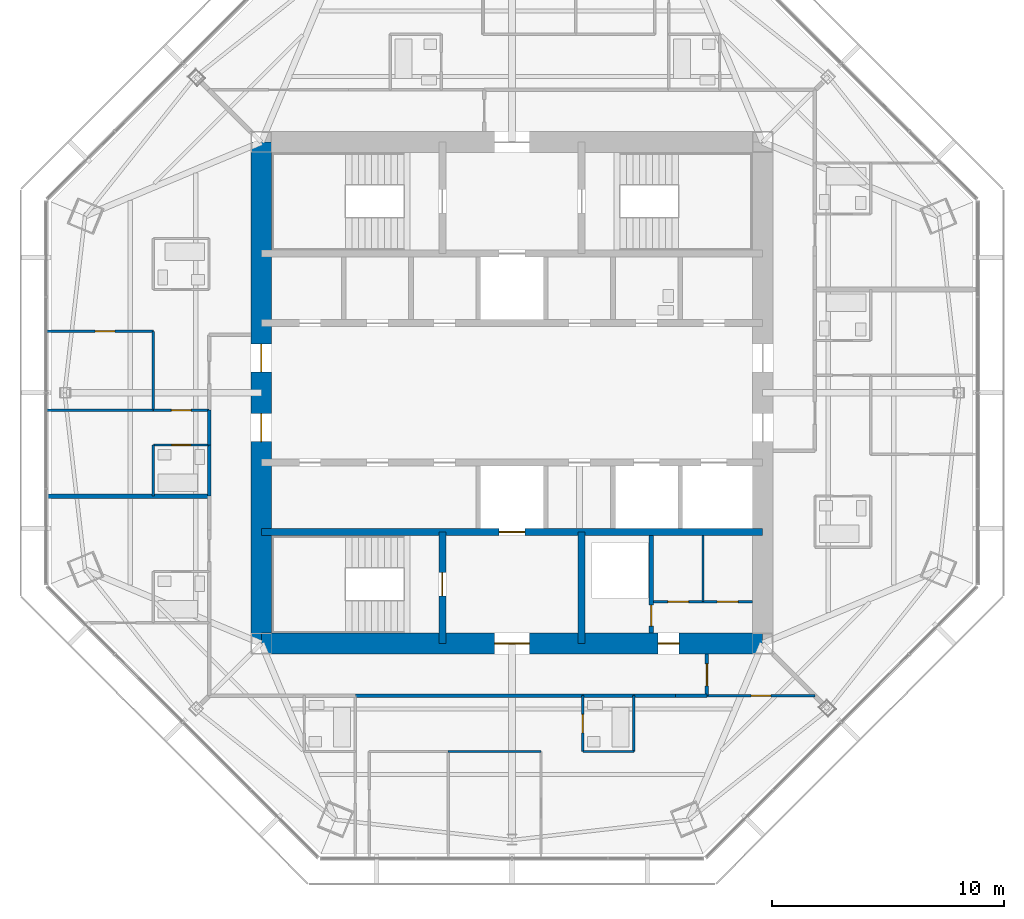
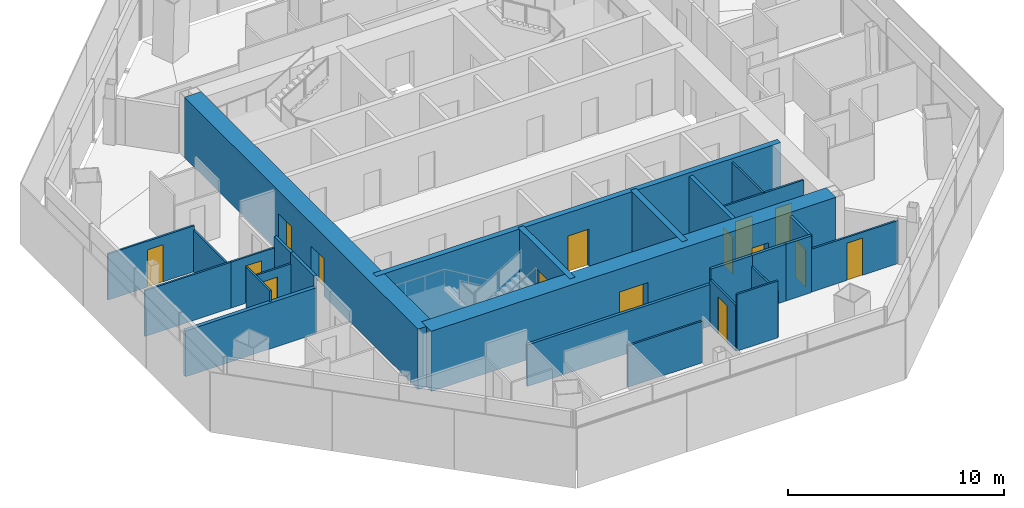
# One storey, part 10 of 15: 27 walls, 15 doors, 15 openings.
"""IFC4 building model written with IfcOpenShell, lengths in metres."""

import ifcopenshell
import ifcopenshell.guid

model = None  # the IFC model being written
_history = None  # IfcOwnerHistory: only IFC2X3 demands one
_inside = {}  # id of a spatial element -> (the spatial element, [elements in it])
_under = {}  # id of a project, library or spatial element -> (it, [spatial elements below it])
_declared = {}  # id of a project -> (the project, [libraries it declares])
_typed = {}  # id of a type object -> (the type object, [elements of that type])
_made_of = {}  # id of a material, layer set ... -> (it, [elements and type objects made of it])


def new_model(schema):
    """Start an empty IFC model of exactly this schema.

    Asked for "IFC4X3", IfcOpenShell would pick the latest addendum, in which some entities
    have other attributes; the version numbers below select the first issue.
    IFC2X3 requires an IfcOwnerHistory on every rooted entity: one is made here for all.
    """
    global model, _history
    if schema == "IFC4X3":
        model = ifcopenshell.file(schema_version=(4, 3, 0, 0))
    else:
        model = ifcopenshell.file(schema=schema)
    _inside.clear()
    _under.clear()
    _declared.clear()
    _typed.clear()
    _made_of.clear()
    _history = None
    if model.schema == "IFC2X3":
        org = make("IfcOrganization", Name="unknown")
        user = make(
            "IfcPersonAndOrganization",
            ThePerson=make("IfcPerson", FamilyName="unknown"),
            TheOrganization=org,
        )
        app = make(
            "IfcApplication",
            ApplicationDeveloper=org,
            Version="unknown",
            ApplicationFullName="unknown",
            ApplicationIdentifier="unknown",
        )
        _history = make(
            "IfcOwnerHistory",
            OwningUser=user,
            OwningApplication=app,
            ChangeAction="ADDED",
            CreationDate=0,
        )
    return model


def make(cls, **values):
    """One entity of the class cls with the attributes given. An attribute that is None is left unset."""
    return model.create_entity(
        cls, **{name: value for name, value in values.items() if value is not None}
    )


def rooted(cls, **values):
    """An entity with a GlobalId (a new one), such as an element, a storey or a relation."""
    return make(cls, GlobalId=ifcopenshell.guid.new(), OwnerHistory=_history, **values)


def si_unit(unit_type, name, prefix=None):
    """IfcSIUnit, for example si_unit("LENGTHUNIT", "METRE", prefix="MILLI")."""
    return make("IfcSIUnit", UnitType=unit_type, Prefix=prefix, Name=name)


def assignment(units):
    """IfcUnitAssignment: the units of a project."""
    return None if units is None else make("IfcUnitAssignment", Units=units)


def point(xyz):
    """IfcCartesianPoint."""
    return None if xyz is None else make("IfcCartesianPoint", Coordinates=xyz)


def direction(xyz):
    """IfcDirection."""
    return None if xyz is None else make("IfcDirection", DirectionRatios=xyz)


def frame(location, z_axis=None, x_axis=None):
    """IfcAxis2Placement3D, a coordinate frame: its origin and axes. An axis left out is left unset."""
    return make(
        "IfcAxis2Placement3D",
        Location=point(location),
        Axis=direction(z_axis),
        RefDirection=direction(x_axis),
    )


def frame_2d(location, x_axis=None):
    """IfcAxis2Placement2D, a coordinate frame in the plane: its origin and x axis."""
    return make(
        "IfcAxis2Placement2D", Location=point(location), RefDirection=direction(x_axis)
    )


def origin():
    """The frame at (0, 0, 0) with its axes left unset."""
    return frame((0.0, 0.0, 0.0))


def place(relative_to, where):
    """IfcLocalPlacement: puts the frame where relative to a parent placement (None: the world)."""
    return make(
        "IfcLocalPlacement", PlacementRelTo=relative_to, RelativePlacement=where
    )


def context(
    kind, dimensions, precision=None, world=None, true_north=None, identifier=None
):
    """IfcGeometricRepresentationContext, for example the 3D "Model" context."""
    return make(
        "IfcGeometricRepresentationContext",
        ContextIdentifier=identifier,
        ContextType=kind,
        CoordinateSpaceDimension=dimensions,
        Precision=precision,
        WorldCoordinateSystem=world,
        TrueNorth=true_north,
    )


def subcontext(parent, identifier, kind, view, scale=None):
    """IfcGeometricRepresentationSubContext, for example "Body" below "Model"."""
    return make(
        "IfcGeometricRepresentationSubContext",
        ContextIdentifier=identifier,
        ContextType=kind,
        ParentContext=parent,
        TargetScale=scale,
        TargetView=view,
    )


def project(units=None, contexts=None):
    """IfcProject with its units and contexts."""
    return rooted(
        "IfcProject",
        Name="project",
        RepresentationContexts=contexts,
        UnitsInContext=assignment(units),
    )


def spatial(cls, under=None, at=None, **own):
    """A site, building, storey or space (cls), placed at a placement, below another one or the project."""
    s = rooted(cls, ObjectPlacement=at, **own)
    if under is not None:
        _under.setdefault(under.id(), (under, []))[1].append(s)
    return s


def profile(cls, at=None, kind="AREA", **sizes):
    """A parametric profile (cls). Its sizes go by their IFC names, for example OverallWidth=200.0."""
    return make(cls, ProfileType=kind, Position=at, **sizes)


def rectangle(**sizes):
    """IfcRectangleProfileDef."""
    return profile("IfcRectangleProfileDef", **sizes)


def extrude(swept, where, along, depth):
    """IfcExtrudedAreaSolid: the profile swept, set in the frame where, extruded along a direction by depth."""
    return make(
        "IfcExtrudedAreaSolid",
        SweptArea=swept,
        Position=where,
        ExtrudedDirection=direction(along),
        Depth=depth,
    )


def shape(context_of_items, identifier, shape_type, items):
    """IfcShapeRepresentation: the items that make up one representation, for example the "Body"."""
    return make(
        "IfcShapeRepresentation",
        ContextOfItems=context_of_items,
        RepresentationIdentifier=identifier,
        RepresentationType=shape_type,
        Items=items,
    )


def material(Name=None, Category=None):
    """IfcMaterial."""
    return make("IfcMaterial", Name=Name, Category=Category)


def layer(
    of_material, thickness, ventilated=None, Name=None, Category=None, Priority=None
):
    """IfcMaterialLayer: one layer of a wall or slab, of a material (None: an air gap)."""
    return make(
        "IfcMaterialLayer",
        Material=of_material,
        LayerThickness=thickness,
        IsVentilated=ventilated,
        Name=Name,
        Category=Category,
        Priority=Priority,
    )


def layer_set(layers, Name=None):
    """IfcMaterialLayerSet."""
    return make("IfcMaterialLayerSet", MaterialLayers=layers, LayerSetName=Name)


def made_of(thing, what):
    """Note that an element or type object is made of a material, layer set ...; save() writes the relation."""
    if what is not None:
        _made_of.setdefault(what.id(), (what, []))[1].append(thing)
    return thing


def type_object(cls, material=None, **own):
    """A type object (cls), such as IfcWallType, which elements share."""
    return made_of(rooted(cls, **own), material)


def element(
    cls,
    number,
    at=None,
    inside=None,
    cuts=None,
    type_object=None,
    material=None,
    context=None,
    identifier="Body",
    shape_type=None,
    held_by="IfcProductDefinitionShape",
    body=None,
    shapes=None,
    **own,
):
    """One element of the class cls, such as IfcWall. Its Tag is "e" and its number.

    at: its placement. inside: the storey or other place that contains it. cuts: it is an
    opening in that element (IfcRelVoidsElement). A single representation is given by context,
    identifier, shape_type and body (its items); several are given by shapes. held_by: the class
    of the entity that holds the representations. save() writes the other relations.
    """
    e = rooted(cls, Tag="e%d" % number, ObjectPlacement=at, **own)
    if body is not None:
        shapes = [shape(context, identifier, shape_type, body)]
    if shapes is not None:
        e.Representation = make(held_by, Representations=shapes)
    if inside is not None:
        _inside.setdefault(inside.id(), (inside, []))[1].append(e)
    if cuts is not None:
        rooted(
            "IfcRelVoidsElement", RelatingBuildingElement=cuts, RelatedOpeningElement=e
        )
    if type_object is not None:
        _typed.setdefault(type_object.id(), (type_object, []))[1].append(e)
    return made_of(e, material)


def fill(opening, filler):
    """IfcRelFillsElement: the door or window that sits in an opening."""
    return rooted(
        "IfcRelFillsElement",
        RelatingOpeningElement=opening,
        RelatedBuildingElement=filler,
    )


def aggregate(whole, parts):
    """IfcRelAggregates: a whole, such as a stair, and the parts it consists of."""
    return rooted("IfcRelAggregates", RelatingObject=whole, RelatedObjects=parts)


def save(model, path):
    """Write the relations noted so far, then the file.

    IfcRelAggregates (storeys below a building ...), IfcRelContainedInSpatialStructure (elements
    in a storey), IfcRelDefinesByType, IfcRelAssociatesMaterial and IfcRelDeclares: one each for
    every whole, place, type object, material and project.
    """
    for whole, parts in _under.values():
        aggregate(whole, parts)
    for where, things in _inside.values():
        rooted(
            "IfcRelContainedInSpatialStructure",
            RelatedElements=things,
            RelatingStructure=where,
        )
    for kind, things in _typed.values():
        rooted("IfcRelDefinesByType", RelatedObjects=things, RelatingType=kind)
    for what, things in _made_of.values():
        rooted("IfcRelAssociatesMaterial", RelatedObjects=things, RelatingMaterial=what)
    for by, libraries in _declared.values():
        rooted("IfcRelDeclares", RelatingContext=by, RelatedDefinitions=libraries)
    model.write(path)


model = new_model("IFC4")

# Units and contexts
model_context = context("Model", 3, precision=1e-05, world=origin(), true_north=direction((0.0, 1.0)))
body_context = subcontext(model_context, "Body", "Model", "MODEL_VIEW")
ifc_project = project(units=[si_unit("LENGTHUNIT", "METRE"), si_unit("AREAUNIT", "SQUARE_METRE"), si_unit("VOLUMEUNIT", "CUBIC_METRE"), si_unit("PLANEANGLEUNIT", "RADIAN"), si_unit("MASSUNIT", "GRAM", prefix="KILO")], contexts=[model_context])

# Site, building, storey
site_placement = place(None, origin())
site = spatial("IfcSite", under=ifc_project, at=site_placement, CompositionType="ELEMENT")
building_placement = place(site_placement, origin())
building = spatial("IfcBuilding", under=site, at=building_placement, Name="Mashrafa Tower", CompositionType="ELEMENT")
storey_placement = place(building_placement, frame((0.0, 0.0, 281.0)))
storey = spatial("IfcBuildingStorey", under=building, at=storey_placement, Name="L68", CompositionType="ELEMENT", Elevation=281.0)

# Wall
ifc_material_1 = material(Name="Gypsum board on steel studs", Category="steel")
ifc_layer_1 = layer(ifc_material_1, 0.199951171875)
ifc_layer_set_1 = layer_set([ifc_layer_1], Name="Acoustic partition 200 1 hr")
wall_type_1 = type_object("IfcWallType", Name="Acoustic partition 200 1 hr", PredefinedType="PARTITIONING", material=ifc_layer_set_1)
wall_1_placement = place(storey_placement, frame((-13.050048828125, -4.449951171875, 0.0), z_axis=(0.0, 0.0, 1.0), x_axis=(-1.0, 0.0, 0.0)))
element("IfcWall", 1, at=wall_1_placement, inside=storey, type_object=wall_type_1, Name="Acoustic wall L68-076", PredefinedType="PARTITIONING", context=body_context, shape_type="SweptSolid", body=[
    extrude(rectangle(XDim=6.99755859375, YDim=0.199951171875, at=frame_2d((3.498779296875, 0.0))), origin(), (0.0, 0.0, 1.0), 2.590576171875),
])

# Wall, opening, door
ifc_material_2 = material(Name="Concrete masonry unit", Category="masonry")
ifc_layer_2 = layer(ifc_material_2, 0.199951171875)
ifc_layer_set_2 = layer_set([ifc_layer_2], Name="Blockwork wall 200 2 hr")
wall_type_2 = type_object("IfcWallType", Name="Blockwork wall 200 2 hr", PredefinedType="PARTITIONING", material=ifc_layer_set_2)
wall_2_placement = place(storey_placement, frame((6.0, -10.35009765625, 0.0), z_axis=(0.0, 0.0, 1.0), x_axis=(0.0, 1.0, 0.0)))
wall_2 = element("IfcWall", 2, at=wall_2_placement, inside=storey, type_object=wall_type_2, Name="Riser enclosure wall L68", PredefinedType="PARTITIONING", context=body_context, shape_type="SweptSolid", body=[
    extrude(rectangle(XDim=4.2001953125, YDim=0.199951171875, at=frame_2d((2.10009765625, 0.0))), origin(), (0.0, 0.0, 1.0), 3.199951171875),
])
opening_1_placement = place(wall_2_placement, frame((0.300048828125, 0.0, 0.0)))
opening_1 = element("IfcOpeningElement", 3, at=opening_1_placement, cuts=wall_2, Name="Opening 68.041", PredefinedType="OPENING", context=body_context, shape_type="SweptSolid", body=[
    extrude(rectangle(XDim=0.89990234375, YDim=2.10009765625, at=frame_2d((0.449951171875, 1.050048828125))), frame((0.0, 0.10986328125, 0.0), z_axis=(0.0, -1.0, 0.0), x_axis=(1.0, 0.0, 0.0)), (0.0, 0.0, 1.0), 0.219970703125),
])
ifc_material_3 = material(Name="Steel door", Category="steel")
door_type_1 = type_object("IfcDoorType", Name="Service door 900 x 2100 90 min", OperationType="USERDEFINED", PredefinedType="DOOR", material=ifc_material_3)
door_1_placement = place(opening_1_placement, origin())
door_1 = element("IfcDoor", 4, at=door_1_placement, inside=storey, type_object=door_type_1, Name="Riser door L68", OperationType="SINGLE_SWING_LEFT", OverallHeight=2.10009765625, OverallWidth=0.89990234375, PredefinedType="DOOR", context=body_context, shape_type="SweptSolid", body=[
    extrude(rectangle(XDim=0.89990234375, YDim=2.10009765625, at=frame_2d((0.449951171875, 1.050048828125))), frame((0.0, 0.02490234375, 0.0), z_axis=(0.0, -1.0, 0.0), x_axis=(1.0, 0.0, 0.0)), (0.0, 0.0, 1.0), 0.050048828125),
])
fill(opening_1, door_1)

ifc_material_4 = material(Name="Concrete C50/60", Category="concrete")
ifc_layer_3 = layer(ifc_material_4, 0.300048828125)
ifc_layer_set_3 = layer_set([ifc_layer_3], Name="Core wall 300 C50/60")
wall_type_3 = type_object("IfcWallType", Name="Core wall 300 C50/60", PredefinedType="SOLIDWALL", material=ifc_layer_set_3)
wall_3_placement = place(storey_placement, frame((-10.800048828125, -6.0, 0.0), z_axis=(0.0, 0.0, 1.0), x_axis=(1.0, 0.0, 0.0)))
wall_3 = element("IfcWall", 5, at=wall_3_placement, inside=storey, type_object=wall_type_3, Name="Core wall CB-S L68", PredefinedType="SOLIDWALL", context=body_context, shape_type="SweptSolid", body=[
    extrude(rectangle(XDim=21.60009765625, YDim=0.300048828125, at=frame_2d((10.800048828125, 0.0))), origin(), (0.0, 0.0, 1.0), 3.39990234375),
])
opening_2_placement = place(wall_3_placement, frame((10.25, 0.0, 0.0)))
opening_2 = element("IfcOpeningElement", 6, at=opening_2_placement, cuts=wall_3, Name="Opening 68.F2", PredefinedType="OPENING", context=body_context, shape_type="SweptSolid", body=[
    extrude(rectangle(XDim=1.10009765625, YDim=2.10009765625, at=frame_2d((0.550048828125, 1.050048828125))), frame((0.0, 0.159912109375, 0.0), z_axis=(0.0, -1.0, 0.0), x_axis=(1.0, 0.0, 0.0)), (0.0, 0.0, 1.0), 0.320068359375),
])
ifc_material_5 = material(Name="Steel door", Category="steel")
door_type_2 = type_object("IfcDoorType", Name="Lift landing door 1100 x 2100 90 min", OperationType="DOUBLE_DOOR_SLIDING", PredefinedType="DOOR", material=ifc_material_5)
door_2_placement = place(opening_2_placement, origin())
door_2 = element("IfcDoor", 7, at=door_2_placement, inside=storey, type_object=door_type_2, Name="Lift landing door F2 L68", OperationType="DOUBLE_DOOR_SLIDING", OverallHeight=2.10009765625, OverallWidth=1.10009765625, PredefinedType="DOOR", context=body_context, shape_type="SweptSolid", body=[
    extrude(rectangle(XDim=1.10009765625, YDim=2.10009765625, at=frame_2d((0.550048828125, 1.050048828125))), frame((0.0, 0.02490234375, 0.0), z_axis=(0.0, -1.0, 0.0), x_axis=(1.0, 0.0, 0.0)), (0.0, 0.0, 1.0), 0.050048828125),
])
fill(opening_2, door_2)

wall_4_placement = place(storey_placement, frame((-3.0, -6.0, 0.0), z_axis=(0.0, 0.0, 1.0), x_axis=(0.0, -1.0, 0.0)))
wall_4 = element("IfcWall", 8, at=wall_4_placement, inside=storey, type_object=wall_type_3, Name="Core wall CX-SW L68", PredefinedType="SOLIDWALL", context=body_context, shape_type="SweptSolid", body=[
    extrude(rectangle(XDim=4.800048828125, YDim=0.300048828125, at=frame_2d((2.39990234375, 0.0))), origin(), (0.0, 0.0, 1.0), 3.39990234375),
])
opening_3_placement = place(wall_4_placement, frame((1.75, 0.0, 0.0)))
opening_3 = element("IfcOpeningElement", 9, at=opening_3_placement, cuts=wall_4, Name="Opening 68.039", PredefinedType="OPENING", context=body_context, shape_type="SweptSolid", body=[
    extrude(rectangle(XDim=1.0, YDim=2.10009765625, at=frame_2d((0.5, 1.050048828125))), frame((0.0, 0.159912109375, 0.0), z_axis=(0.0, -1.0, 0.0), x_axis=(1.0, 0.0, 0.0)), (0.0, 0.0, 1.0), 0.320068359375),
])
ifc_material_6 = material(Name="Steel door", Category="steel")
door_type_3 = type_object("IfcDoorType", Name="Stair door 1000 x 2100 90 min", OperationType="USERDEFINED", PredefinedType="DOOR", material=ifc_material_6)
door_3_placement = place(opening_3_placement, frame((1.0, 0.0, 0.0), z_axis=(0.0, 0.0, 1.0), x_axis=(-1.0, 0.0, 0.0)))
door_3 = element("IfcDoor", 10, at=door_3_placement, inside=storey, type_object=door_type_3, Name="Stair S3 door L68", OperationType="SINGLE_SWING_RIGHT", OverallHeight=2.10009765625, OverallWidth=1.0, PredefinedType="DOOR", context=body_context, shape_type="SweptSolid", body=[
    extrude(rectangle(XDim=1.0, YDim=2.10009765625, at=frame_2d((0.5, 1.050048828125))), frame((0.0, 0.02490234375, 0.0), z_axis=(0.0, -1.0, 0.0), x_axis=(1.0, 0.0, 0.0)), (0.0, 0.0, 1.0), 0.050048828125),
])
fill(opening_3, door_3)

# Wall
wall_5_placement = place(storey_placement, frame((3.0, -6.0, 0.0), z_axis=(0.0, 0.0, 1.0), x_axis=(0.0, -1.0, 0.0)))
element("IfcWall", 11, at=wall_5_placement, inside=storey, type_object=wall_type_3, Name="Core wall CX-SE L68", PredefinedType="SOLIDWALL", context=body_context, shape_type="SweptSolid", body=[
    extrude(rectangle(XDim=4.800048828125, YDim=0.300048828125, at=frame_2d((2.39990234375, 0.0))), origin(), (0.0, 0.0, 1.0), 3.39990234375),
])

# Wall, openings, doors
ifc_material_7 = material(Name="Concrete C50/60", Category="concrete")
ifc_layer_4 = layer(ifc_material_7, 0.89990234375)
ifc_layer_set_4 = layer_set([ifc_layer_4], Name="Core wall 900 C50/60")
wall_type_4 = type_object("IfcWallType", Name="Core wall 900 C50/60", PredefinedType="SOLIDWALL", material=ifc_layer_set_4)
wall_6_placement = place(storey_placement, frame((-10.800048828125, -10.800048828125, 0.0), z_axis=(0.0, 0.0, 1.0), x_axis=(1.0, 0.0, 0.0)))
wall_6 = element("IfcWall", 12, at=wall_6_placement, inside=storey, type_object=wall_type_4, Name="Core wall CW-S L68", PredefinedType="SOLIDWALL", context=body_context, shape_type="SweptSolid", body=[
    extrude(rectangle(XDim=21.60009765625, YDim=0.89990234375, at=frame_2d((10.800048828125, 0.0))), origin(), (0.0, 0.0, 1.0), 3.39990234375),
])
opening_4_placement = place(wall_6_placement, frame((10.050048828125, 0.0, 0.0)))
opening_4 = element("IfcOpeningElement", 13, at=opening_4_placement, cuts=wall_6, Name="Opening 68.036", PredefinedType="OPENING", context=body_context, shape_type="SweptSolid", body=[
    extrude(rectangle(XDim=1.5, YDim=2.10009765625, at=frame_2d((0.75, 1.050048828125))), frame((0.0, 0.4599609375, 0.0), z_axis=(0.0, -1.0, 0.0), x_axis=(1.0, 0.0, 0.0)), (0.0, 0.0, 1.0), 0.919921875),
])
opening_5_placement = place(wall_6_placement, frame((17.10009765625, 0.0, 0.0)))
opening_5 = element("IfcOpeningElement", 14, at=opening_5_placement, cuts=wall_6, Name="Opening 68.040", PredefinedType="OPENING", context=body_context, shape_type="SweptSolid", body=[
    extrude(rectangle(XDim=0.89990234375, YDim=2.10009765625, at=frame_2d((0.449951171875, 1.050048828125))), frame((0.0, 0.4599609375, 0.0), z_axis=(0.0, -1.0, 0.0), x_axis=(1.0, 0.0, 0.0)), (0.0, 0.0, 1.0), 0.919921875),
])
ifc_material_8 = material(Name="Steel door", Category="steel")
door_type_4 = type_object("IfcDoorType", Name="Lobby door pair 1500 x 2100 90 min", OperationType="DOUBLE_DOOR_SINGLE_SWING", PredefinedType="DOOR", material=ifc_material_8)
door_4_placement = place(opening_4_placement, origin())
door_4 = element("IfcDoor", 15, at=door_4_placement, inside=storey, type_object=door_type_4, Name="Fire-fighting lobby F2 door L68", OperationType="DOUBLE_DOOR_SINGLE_SWING", OverallHeight=2.10009765625, OverallWidth=1.5, PredefinedType="DOOR", context=body_context, shape_type="SweptSolid", body=[
    extrude(rectangle(XDim=1.5, YDim=2.10009765625, at=frame_2d((0.75, 1.050048828125))), frame((0.0, 0.02490234375, 0.0), z_axis=(0.0, -1.0, 0.0), x_axis=(1.0, 0.0, 0.0)), (0.0, 0.0, 1.0), 0.050048828125),
])
fill(opening_4, door_4)
door_5_placement = place(opening_5_placement, frame((0.89990234375, 0.0, 0.0), z_axis=(0.0, 0.0, 1.0), x_axis=(-1.0, 0.0, 0.0)))
door_5 = element("IfcDoor", 16, at=door_5_placement, inside=storey, type_object=door_type_1, Name="Services Lobby L68 door", OperationType="SINGLE_SWING_LEFT", OverallHeight=2.10009765625, OverallWidth=0.89990234375, PredefinedType="DOOR", context=body_context, shape_type="SweptSolid", body=[
    extrude(rectangle(XDim=0.89990234375, YDim=2.10009765625, at=frame_2d((0.449951171875, 1.050048828125))), frame((0.0, 0.02490234375, 0.0), z_axis=(0.0, -1.0, 0.0), x_axis=(1.0, 0.0, 0.0)), (0.0, 0.0, 1.0), 0.050048828125),
])
fill(opening_5, door_5)

wall_7_placement = place(storey_placement, frame((-10.800048828125, 10.800048828125, 0.0), z_axis=(0.0, 0.0, 1.0), x_axis=(0.0, -1.0, 0.0)))
wall_7 = element("IfcWall", 17, at=wall_7_placement, inside=storey, type_object=wall_type_4, Name="Core wall CW-W L68", PredefinedType="SOLIDWALL", context=body_context, shape_type="SweptSolid", body=[
    extrude(rectangle(XDim=21.60009765625, YDim=0.89990234375, at=frame_2d((10.800048828125, 0.0))), origin(), (0.0, 0.0, 1.0), 3.39990234375),
])
opening_6_placement = place(wall_7_placement, frame((8.699951171875, 0.0, 0.0)))
opening_6 = element("IfcOpeningElement", 18, at=opening_6_placement, cuts=wall_7, Name="Opening 68.032", PredefinedType="OPENING", context=body_context, shape_type="SweptSolid", body=[
    extrude(rectangle(XDim=1.199951171875, YDim=2.10009765625, at=frame_2d((0.60009765625, 1.050048828125))), frame((0.0, 0.4599609375, 0.0), z_axis=(0.0, -1.0, 0.0), x_axis=(1.0, 0.0, 0.0)), (0.0, 0.0, 1.0), 0.919921875),
])
opening_7_placement = place(wall_7_placement, frame((11.699951171875, 0.0, 0.0)))
opening_7 = element("IfcOpeningElement", 19, at=opening_7_placement, cuts=wall_7, Name="Opening 68.034", PredefinedType="OPENING", context=body_context, shape_type="SweptSolid", body=[
    extrude(rectangle(XDim=1.199951171875, YDim=2.10009765625, at=frame_2d((0.60009765625, 1.050048828125))), frame((0.0, 0.4599609375, 0.0), z_axis=(0.0, -1.0, 0.0), x_axis=(1.0, 0.0, 0.0)), (0.0, 0.0, 1.0), 0.919921875),
])
ifc_material_9 = material(Name="Steel door", Category="steel")
door_type_5 = type_object("IfcDoorType", Name="Lift hall door 1200 x 2100 90 min", OperationType="USERDEFINED", PredefinedType="DOOR", material=ifc_material_9)
door_6_placement = place(opening_6_placement, frame((1.199951171875, 0.0, 0.0), z_axis=(0.0, 0.0, 1.0), x_axis=(-1.0, 0.0, 0.0)))
door_6 = element("IfcDoor", 20, at=door_6_placement, inside=storey, type_object=door_type_5, Name="Lift hall door west L68", OperationType="SINGLE_SWING_RIGHT", OverallHeight=2.10009765625, OverallWidth=1.199951171875, PredefinedType="DOOR", context=body_context, shape_type="SweptSolid", body=[
    extrude(rectangle(XDim=1.199951171875, YDim=2.10009765625, at=frame_2d((0.60009765625, 1.050048828125))), frame((0.0, 0.02490234375, 0.0), z_axis=(0.0, -1.0, 0.0), x_axis=(1.0, 0.0, 0.0)), (0.0, 0.0, 1.0), 0.050048828125),
])
fill(opening_6, door_6)
door_7_placement = place(opening_7_placement, frame((1.199951171875, 0.0, 0.0), z_axis=(0.0, 0.0, 1.0), x_axis=(-1.0, 0.0, 0.0)))
door_7 = element("IfcDoor", 21, at=door_7_placement, inside=storey, type_object=door_type_5, Name="Lift hall door west L68", OperationType="SINGLE_SWING_RIGHT", OverallHeight=2.10009765625, OverallWidth=1.199951171875, PredefinedType="DOOR", context=body_context, shape_type="SweptSolid", body=[
    extrude(rectangle(XDim=1.199951171875, YDim=2.10009765625, at=frame_2d((0.60009765625, 1.050048828125))), frame((0.0, 0.02490234375, 0.0), z_axis=(0.0, -1.0, 0.0), x_axis=(1.0, 0.0, 0.0)), (0.0, 0.0, 1.0), 0.050048828125),
])
fill(opening_7, door_7)

# Walls
ifc_material_10 = material(Name="Gypsum board on steel studs", Category="steel")
ifc_layer_5 = layer(ifc_material_10, 0.14990234375)
ifc_layer_set_5 = layer_set([ifc_layer_5], Name="Corridor partition 150 1 hr")
wall_type_5 = type_object("IfcWallType", Name="Corridor partition 150 1 hr", PredefinedType="PARTITIONING", material=ifc_layer_set_5)
wall_8_placement = place(storey_placement, frame((-13.050048828125, -2.2490234375, 0.0), z_axis=(0.0, 0.0, 1.0), x_axis=(0.0, -1.0, 0.0)))
element("IfcWall", 22, at=wall_8_placement, inside=storey, type_object=wall_type_5, Name="Corridor wall L68-013", PredefinedType="PARTITIONING", context=body_context, shape_type="SweptSolid", body=[
    extrude(rectangle(XDim=2.201904296875, YDim=0.14990234375, at=frame_2d((1.10107421875, 0.0))), origin(), (0.0, 0.0, 1.0), 3.199951171875),
])
wall_9_placement = place(storey_placement, frame((-13.050048828125, -0.7490234375, 0.0), z_axis=(0.0, 0.0, 1.0), x_axis=(0.0, -1.0, 0.0)))
element("IfcWall", 23, at=wall_9_placement, inside=storey, type_object=wall_type_5, Name="Corridor wall L68-014", PredefinedType="PARTITIONING", context=body_context, shape_type="SweptSolid", body=[
    extrude(rectangle(XDim=1.501953125, YDim=0.14990234375, at=frame_2d((0.7509765625, 0.0))), origin(), (0.0, 0.0, 1.0), 3.199951171875),
])
wall_10_placement = place(storey_placement, frame((5.2490234375, -13.050048828125, 0.0), z_axis=(0.0, 0.0, 1.0), x_axis=(1.0, 0.0, 0.0)))
element("IfcWall", 24, at=wall_10_placement, inside=storey, type_object=wall_type_5, Name="Corridor wall L68-021", PredefinedType="PARTITIONING", context=body_context, shape_type="SweptSolid", body=[
    extrude(rectangle(XDim=1.802001953125, YDim=0.14990234375, at=frame_2d((0.90087890625, 0.0))), origin(), (0.0, 0.0, 1.0), 3.199951171875),
])
wall_11_placement = place(storey_placement, frame((3.049072265625, -13.050048828125, 0.0), z_axis=(0.0, 0.0, 1.0), x_axis=(1.0, 0.0, 0.0)))
element("IfcWall", 25, at=wall_11_placement, inside=storey, type_object=wall_type_5, Name="Corridor wall L68-022", PredefinedType="PARTITIONING", context=body_context, shape_type="SweptSolid", body=[
    extrude(rectangle(XDim=2.201904296875, YDim=0.14990234375, at=frame_2d((1.10107421875, 0.0))), origin(), (0.0, 0.0, 1.0), 3.199951171875),
])
wall_12_placement = place(storey_placement, frame((-6.7509765625, -13.050048828125, 0.0), z_axis=(0.0, 0.0, 1.0), x_axis=(1.0, 0.0, 0.0)))
element("IfcWall", 26, at=wall_12_placement, inside=storey, type_object=wall_type_5, Name="Corridor wall L68-025", PredefinedType="PARTITIONING", context=body_context, shape_type="SweptSolid", body=[
    extrude(rectangle(XDim=9.802001953125, YDim=0.14990234375, at=frame_2d((4.90087890625, 0.0))), origin(), (0.0, 0.0, 1.0), 2.34423828125),
])
wall_13_placement = place(storey_placement, frame((7.049072265625, -13.050048828125, 0.0), z_axis=(0.0, 0.0, 1.0), x_axis=(1.0, 0.0, 0.0)))
element("IfcWall", 27, at=wall_13_placement, inside=storey, type_object=wall_type_5, Name="Corridor wall L68-026", PredefinedType="PARTITIONING", context=body_context, shape_type="SweptSolid", body=[
    extrude(rectangle(XDim=1.350830078125, YDim=0.14990234375, at=frame_2d((0.67529296875, 0.0))), origin(), (0.0, 0.0, 1.0), 3.199951171875),
])

# Wall, opening, door
wall_14_placement = place(storey_placement, frame((8.39990234375, -13.050048828125, 0.0), z_axis=(0.0, 0.0, 1.0), x_axis=(0.0, 1.0, 0.0)))
wall_14 = element("IfcWall", 28, at=wall_14_placement, inside=storey, type_object=wall_type_5, Name="Corridor wall L68-027", PredefinedType="PARTITIONING", context=body_context, shape_type="SweptSolid", body=[
    extrude(rectangle(XDim=1.800048828125, YDim=0.14990234375, at=frame_2d((0.89990234375, 0.0))), origin(), (0.0, 0.0, 1.0), 3.199951171875),
])
opening_8_placement = place(wall_14_placement, frame((0.425048828125, 0.0, 0.0)))
opening_8 = element("IfcOpeningElement", 29, at=opening_8_placement, cuts=wall_14, Name="Opening 68.029", PredefinedType="OPENING", context=body_context, shape_type="SweptSolid", body=[
    extrude(rectangle(XDim=0.949951171875, YDim=2.10009765625, at=frame_2d((0.47509765625, 1.050048828125))), frame((0.0, 0.0849609375, 0.0), z_axis=(0.0, -1.0, 0.0), x_axis=(1.0, 0.0, 0.0)), (0.0, 0.0, 1.0), 0.169921875),
])
ifc_material_11 = material(Name="Steel door", Category="steel")
door_type_6 = type_object("IfcDoorType", Name="Residence entrance door 950 x 2100 20 min", OperationType="USERDEFINED", PredefinedType="DOOR", material=ifc_material_11)
door_8_placement = place(opening_8_placement, origin())
door_8 = element("IfcDoor", 30, at=door_8_placement, inside=storey, type_object=door_type_6, Name="Apartment 6806 Entrance Hall door", OperationType="SINGLE_SWING_LEFT", OverallHeight=2.10009765625, OverallWidth=0.949951171875, PredefinedType="DOOR", context=body_context, shape_type="SweptSolid", body=[
    extrude(rectangle(XDim=0.949951171875, YDim=2.10009765625, at=frame_2d((0.47509765625, 1.050048828125))), frame((0.0, 0.02490234375, 0.0), z_axis=(0.0, -1.0, 0.0), x_axis=(1.0, 0.0, 0.0)), (0.0, 0.0, 1.0), 0.050048828125),
])
fill(opening_8, door_8)

# Walls
ifc_material_12 = material(Name="Gypsum board on steel studs", Category="steel")
ifc_layer_6 = layer(ifc_material_12, 0.10009765625)
ifc_layer_set_6 = layer_set([ifc_layer_6], Name="Partition 100")
wall_type_6 = type_object("IfcWallType", Name="Partition 100", PredefinedType="PARTITIONING", material=ifc_layer_set_6)
wall_15_placement = place(storey_placement, frame((-20.047607421875, -0.75, 0.0), z_axis=(0.0, 0.0, 1.0), x_axis=(1.0, 0.0, 0.0)))
element("IfcWall", 31, at=wall_15_placement, inside=storey, type_object=wall_type_6, Name="Partition wall L68-071", PredefinedType="PARTITIONING", context=body_context, shape_type="SweptSolid", body=[
    extrude(rectangle(XDim=4.59765625, YDim=0.10009765625, at=frame_2d((2.298828125, 0.0))), origin(), (0.0, 0.0, 1.0), 2.590576171875),
])
wall_16_placement = place(storey_placement, frame((-15.449951171875, -0.75, 0.0), z_axis=(0.0, 0.0, 1.0), x_axis=(0.0, 1.0, 0.0)))
element("IfcWall", 32, at=wall_16_placement, inside=storey, type_object=wall_type_6, Name="Partition wall L68-072", PredefinedType="PARTITIONING", context=body_context, shape_type="SweptSolid", body=[
    extrude(rectangle(XDim=3.39990234375, YDim=0.10009765625, at=frame_2d((1.699951171875, 0.0))), origin(), (0.0, 0.0, 1.0), 2.34423828125),
])

# Wall, opening, door
wall_17_placement = place(storey_placement, frame((-15.449951171875, 2.64990234375, 0.0), z_axis=(0.0, 0.0, 1.0), x_axis=(-1.0, 0.0, 0.0)))
wall_17 = element("IfcWall", 33, at=wall_17_placement, inside=storey, type_object=wall_type_6, Name="Partition wall L68-073", PredefinedType="PARTITIONING", context=body_context, shape_type="SweptSolid", body=[
    extrude(rectangle(XDim=4.599609375, YDim=0.10009765625, at=frame_2d((2.2998046875, 0.0))), origin(), (0.0, 0.0, 1.0), 2.590576171875),
])
opening_9_placement = place(wall_17_placement, frame((1.65771484375, 0.0, 0.0)))
opening_9 = element("IfcOpeningElement", 34, at=opening_9_placement, cuts=wall_17, Name="Opening 68.017", PredefinedType="OPENING", context=body_context, shape_type="SweptSolid", body=[
    extrude(rectangle(XDim=0.85009765625, YDim=2.10009765625, at=frame_2d((0.425048828125, 1.050048828125))), frame((0.0, 0.06005859375, 0.0), z_axis=(0.0, -1.0, 0.0), x_axis=(1.0, 0.0, 0.0)), (0.0, 0.0, 1.0), 0.1201171875),
])
ifc_material_13 = material(Name="Timber door", Category="wood")
door_type_7 = type_object("IfcDoorType", Name="Bedroom door 850 x 2100", OperationType="USERDEFINED", PredefinedType="DOOR", material=ifc_material_13)
door_9_placement = place(opening_9_placement, origin())
door_9 = element("IfcDoor", 35, at=door_9_placement, inside=storey, type_object=door_type_7, Name="Apartment 6804 Bedroom 1 door", OperationType="SINGLE_SWING_LEFT", OverallHeight=2.10009765625, OverallWidth=0.85009765625, PredefinedType="DOOR", context=body_context, shape_type="SweptSolid", body=[
    extrude(rectangle(XDim=0.85009765625, YDim=2.10009765625, at=frame_2d((0.425048828125, 1.050048828125))), frame((0.0, 0.02490234375, 0.0), z_axis=(0.0, -1.0, 0.0), x_axis=(1.0, 0.0, 0.0)), (0.0, 0.0, 1.0), 0.050048828125),
])
fill(opening_9, door_9)

wall_18_placement = place(storey_placement, frame((-13.050048828125, -2.25, 0.0), z_axis=(0.0, 0.0, 1.0), x_axis=(-1.0, 0.0, 0.0)))
wall_18 = element("IfcWall", 36, at=wall_18_placement, inside=storey, type_object=wall_type_6, Name="Partition wall L68-074", PredefinedType="PARTITIONING", context=body_context, shape_type="SweptSolid", body=[
    extrude(rectangle(XDim=2.39990234375, YDim=0.10009765625, at=frame_2d((1.199951171875, 0.0))), origin(), (0.0, 0.0, 1.0), 2.590576171875),
])
opening_10_placement = place(wall_18_placement, frame((0.800048828125, 0.0, 0.0)))
opening_10 = element("IfcOpeningElement", 37, at=opening_10_placement, cuts=wall_18, Name="Opening 68.018", PredefinedType="OPENING", context=body_context, shape_type="SweptSolid", body=[
    extrude(rectangle(XDim=0.800048828125, YDim=2.10009765625, at=frame_2d((0.39990234375, 1.050048828125))), frame((0.0, 0.06005859375, 0.0), z_axis=(0.0, -1.0, 0.0), x_axis=(1.0, 0.0, 0.0)), (0.0, 0.0, 1.0), 0.1201171875),
])
ifc_material_14 = material(Name="Timber door", Category="wood")
door_type_8 = type_object("IfcDoorType", Name="Bathroom door 800 x 2100", OperationType="USERDEFINED", PredefinedType="DOOR", material=ifc_material_14)
door_10_placement = place(opening_10_placement, origin())
door_10 = element("IfcDoor", 38, at=door_10_placement, inside=storey, type_object=door_type_8, Name="Apartment 6804 En-suite Bathroom door", OperationType="SINGLE_SWING_RIGHT", OverallHeight=2.10009765625, OverallWidth=0.800048828125, PredefinedType="DOOR", context=body_context, shape_type="SweptSolid", body=[
    extrude(rectangle(XDim=0.800048828125, YDim=2.10009765625, at=frame_2d((0.39990234375, 1.050048828125))), frame((0.0, 0.02490234375, 0.0), z_axis=(0.0, -1.0, 0.0), x_axis=(1.0, 0.0, 0.0)), (0.0, 0.0, 1.0), 0.050048828125),
])
fill(opening_10, door_10)

# Wall
wall_19_placement = place(storey_placement, frame((-15.449951171875, -2.25, 0.0), z_axis=(0.0, 0.0, 1.0), x_axis=(0.0, -1.0, 0.0)))
element("IfcWall", 39, at=wall_19_placement, inside=storey, type_object=wall_type_6, Name="Partition wall L68-075", PredefinedType="PARTITIONING", context=body_context, shape_type="SweptSolid", body=[
    extrude(rectangle(XDim=2.199951171875, YDim=0.10009765625, at=frame_2d((1.10009765625, 0.0))), origin(), (0.0, 0.0, 1.0), 3.199951171875),
])

# Wall, opening, door
wall_20_placement = place(storey_placement, frame((-13.050048828125, -0.75, 0.0), z_axis=(0.0, 0.0, 1.0), x_axis=(-1.0, 0.0, 0.0)))
wall_20 = element("IfcWall", 40, at=wall_20_placement, inside=storey, type_object=wall_type_6, Name="Partition wall L68-077", PredefinedType="PARTITIONING", context=body_context, shape_type="SweptSolid", body=[
    extrude(rectangle(XDim=2.40087890625, YDim=0.10009765625, at=frame_2d((1.200439453125, 0.0))), origin(), (0.0, 0.0, 1.0), 2.590576171875),
])
opening_11_placement = place(wall_20_placement, frame((0.775390625, 0.0, 0.0)))
opening_11 = element("IfcOpeningElement", 41, at=opening_11_placement, cuts=wall_20, Name="Opening 68.019", PredefinedType="OPENING", context=body_context, shape_type="SweptSolid", body=[
    extrude(rectangle(XDim=0.85009765625, YDim=2.10009765625, at=frame_2d((0.425048828125, 1.050048828125))), frame((0.0, 0.06005859375, 0.0), z_axis=(0.0, -1.0, 0.0), x_axis=(1.0, 0.0, 0.0)), (0.0, 0.0, 1.0), 0.1201171875),
])
door_11_placement = place(opening_11_placement, origin())
door_11 = element("IfcDoor", 42, at=door_11_placement, inside=storey, type_object=door_type_7, Name="Apartment 6804 Bedroom 2 door", OperationType="SINGLE_SWING_LEFT", OverallHeight=2.10009765625, OverallWidth=0.85009765625, PredefinedType="DOOR", context=body_context, shape_type="SweptSolid", body=[
    extrude(rectangle(XDim=0.85009765625, YDim=2.10009765625, at=frame_2d((0.425048828125, 1.050048828125))), frame((0.0, 0.02490234375, 0.0), z_axis=(0.0, -1.0, 0.0), x_axis=(1.0, 0.0, 0.0)), (0.0, 0.0, 1.0), 0.050048828125),
])
fill(opening_11, door_11)

# Wall
wall_21_placement = place(storey_placement, frame((5.25, -13.050048828125, 0.0), z_axis=(0.0, 0.0, 1.0), x_axis=(0.0, -1.0, 0.0)))
element("IfcWall", 43, at=wall_21_placement, inside=storey, type_object=wall_type_6, Name="Partition wall L68-085", PredefinedType="PARTITIONING", context=body_context, shape_type="SweptSolid", body=[
    extrude(rectangle(XDim=2.39990234375, YDim=0.10009765625, at=frame_2d((1.199951171875, 0.0))), origin(), (0.0, 0.0, 1.0), 2.590576171875),
])

# Wall, opening, door
wall_22_placement = place(storey_placement, frame((3.050048828125, -13.050048828125, 0.0), z_axis=(0.0, 0.0, 1.0), x_axis=(0.0, -1.0, 0.0)))
wall_22 = element("IfcWall", 44, at=wall_22_placement, inside=storey, type_object=wall_type_6, Name="Partition wall L68-086", PredefinedType="PARTITIONING", context=body_context, shape_type="SweptSolid", body=[
    extrude(rectangle(XDim=2.39990234375, YDim=0.10009765625, at=frame_2d((1.199951171875, 0.0))), origin(), (0.0, 0.0, 1.0), 2.590576171875),
])
opening_12_placement = place(wall_22_placement, frame((0.800048828125, 0.0, 0.0)))
opening_12 = element("IfcOpeningElement", 45, at=opening_12_placement, cuts=wall_22, Name="Opening 68.024", PredefinedType="OPENING", context=body_context, shape_type="SweptSolid", body=[
    extrude(rectangle(XDim=0.800048828125, YDim=2.10009765625, at=frame_2d((0.39990234375, 1.050048828125))), frame((0.0, 0.06005859375, 0.0), z_axis=(0.0, -1.0, 0.0), x_axis=(1.0, 0.0, 0.0)), (0.0, 0.0, 1.0), 0.1201171875),
])
door_12_placement = place(opening_12_placement, origin())
door_12 = element("IfcDoor", 46, at=door_12_placement, inside=storey, type_object=door_type_8, Name="Apartment 6806 Bathroom door", OperationType="SINGLE_SWING_RIGHT", OverallHeight=2.10009765625, OverallWidth=0.800048828125, PredefinedType="DOOR", context=body_context, shape_type="SweptSolid", body=[
    extrude(rectangle(XDim=0.800048828125, YDim=2.10009765625, at=frame_2d((0.39990234375, 1.050048828125))), frame((0.0, 0.02490234375, 0.0), z_axis=(0.0, -1.0, 0.0), x_axis=(1.0, 0.0, 0.0)), (0.0, 0.0, 1.0), 0.050048828125),
])
fill(opening_12, door_12)

# Walls
wall_23_placement = place(storey_placement, frame((3.050048828125, -15.449951171875, 0.0), z_axis=(0.0, 0.0, 1.0), x_axis=(1.0, 0.0, 0.0)))
element("IfcWall", 47, at=wall_23_placement, inside=storey, type_object=wall_type_6, Name="Partition wall L68-087", PredefinedType="PARTITIONING", context=body_context, shape_type="SweptSolid", body=[
    extrude(rectangle(XDim=2.199951171875, YDim=0.10009765625, at=frame_2d((1.10009765625, 0.0))), origin(), (0.0, 0.0, 1.0), 3.199951171875),
])
wall_24_placement = place(storey_placement, frame((1.25, -15.449951171875, 0.0), z_axis=(0.0, 0.0, 1.0), x_axis=(-1.0, 0.0, 0.0)))
element("IfcWall", 48, at=wall_24_placement, inside=storey, type_object=wall_type_6, Name="Partition wall L68-089", PredefinedType="PARTITIONING", context=body_context, shape_type="SweptSolid", body=[
    extrude(rectangle(XDim=4.0, YDim=0.10009765625, at=frame_2d((2.0, 0.0))), origin(), (0.0, 0.0, 1.0), 2.34423828125),
])

# Wall, opening, door
wall_25_placement = place(storey_placement, frame((13.050048828125, -13.050048828125, 0.0), z_axis=(0.0, 0.0, 1.0), x_axis=(-1.0, 0.0, 0.0)))
wall_25 = element("IfcWall", 49, at=wall_25_placement, inside=storey, type_object=wall_type_6, Name="Partition wall L68-094", PredefinedType="PARTITIONING", context=body_context, shape_type="SweptSolid", body=[
    extrude(rectangle(XDim=4.651123046875, YDim=0.10009765625, at=frame_2d((2.32568359375, 0.0))), origin(), (0.0, 0.0, 1.0), 2.427978515625),
])
opening_13_placement = place(wall_25_placement, frame((1.900390625, 0.0, 0.0)))
opening_13 = element("IfcOpeningElement", 50, at=opening_13_placement, cuts=wall_25, Name="Opening 68.028", PredefinedType="OPENING", context=body_context, shape_type="SweptSolid", body=[
    extrude(rectangle(XDim=0.85009765625, YDim=2.10009765625, at=frame_2d((0.425048828125, 1.050048828125))), frame((0.0, 0.06005859375, 0.0), z_axis=(0.0, -1.0, 0.0), x_axis=(1.0, 0.0, 0.0)), (0.0, 0.0, 1.0), 0.1201171875),
])
door_13_placement = place(opening_13_placement, origin())
door_13 = element("IfcDoor", 51, at=door_13_placement, inside=storey, type_object=door_type_7, Name="Apartment 6806 Living Room door", OperationType="SINGLE_SWING_LEFT", OverallHeight=2.10009765625, OverallWidth=0.85009765625, PredefinedType="DOOR", context=body_context, shape_type="SweptSolid", body=[
    extrude(rectangle(XDim=0.85009765625, YDim=2.10009765625, at=frame_2d((0.425048828125, 1.050048828125))), frame((0.0, 0.02490234375, 0.0), z_axis=(0.0, -1.0, 0.0), x_axis=(1.0, 0.0, 0.0)), (0.0, 0.0, 1.0), 0.050048828125),
])
fill(opening_13, door_13)

# Wall, openings, doors
ifc_material_15 = material(Name="Gypsum board on steel studs", Category="steel")
ifc_layer_7 = layer(ifc_material_15, 0.10009765625)
ifc_layer_set_7 = layer_set([ifc_layer_7], Name="Partition 100 1 hr")
wall_type_7 = type_object("IfcWallType", Name="Partition 100 1 hr", PredefinedType="PARTITIONING", material=ifc_layer_set_7)
wall_26_placement = place(storey_placement, frame((6.10009765625, -9.0, 0.0), z_axis=(0.0, 0.0, 1.0), x_axis=(1.0, 0.0, 0.0)))
wall_26 = element("IfcWall", 52, at=wall_26_placement, inside=storey, type_object=wall_type_7, Name="Services lobby partition A L68", PredefinedType="PARTITIONING", context=body_context, shape_type="SweptSolid", body=[
    extrude(rectangle(XDim=4.25, YDim=0.10009765625, at=frame_2d((2.125, 0.0))), origin(), (0.0, 0.0, 1.0), 3.199951171875),
])
opening_14_placement = place(wall_26_placement, frame((0.612548828125, 0.0, 0.0)))
opening_14 = element("IfcOpeningElement", 53, at=opening_14_placement, cuts=wall_26, Name="Opening 68.042", PredefinedType="OPENING", context=body_context, shape_type="SweptSolid", body=[
    extrude(rectangle(XDim=0.89990234375, YDim=2.10009765625, at=frame_2d((0.449951171875, 1.050048828125))), frame((0.0, 0.06005859375, 0.0), z_axis=(0.0, -1.0, 0.0), x_axis=(1.0, 0.0, 0.0)), (0.0, 0.0, 1.0), 0.1201171875),
])
opening_15_placement = place(wall_26_placement, frame((2.737548828125, 0.0, 0.0)))
opening_15 = element("IfcOpeningElement", 54, at=opening_15_placement, cuts=wall_26, Name="Opening 68.043", PredefinedType="OPENING", context=body_context, shape_type="SweptSolid", body=[
    extrude(rectangle(XDim=0.89990234375, YDim=2.10009765625, at=frame_2d((0.449951171875, 1.050048828125))), frame((0.0, 0.06005859375, 0.0), z_axis=(0.0, -1.0, 0.0), x_axis=(1.0, 0.0, 0.0)), (0.0, 0.0, 1.0), 0.1201171875),
])
ifc_material_16 = material(Name="Timber door", Category="wood")
door_type_9 = type_object("IfcDoorType", Name="Store door 900 x 2100", OperationType="USERDEFINED", PredefinedType="DOOR", material=ifc_material_16)
door_14_placement = place(opening_14_placement, origin())
door_14 = element("IfcDoor", 55, at=door_14_placement, inside=storey, type_object=door_type_9, Name="Cleaner's Store L68 door", OperationType="SINGLE_SWING_RIGHT", OverallHeight=2.10009765625, OverallWidth=0.89990234375, PredefinedType="DOOR", context=body_context, shape_type="SweptSolid", body=[
    extrude(rectangle(XDim=0.89990234375, YDim=2.10009765625, at=frame_2d((0.449951171875, 1.050048828125))), frame((0.0, 0.02490234375, 0.0), z_axis=(0.0, -1.0, 0.0), x_axis=(1.0, 0.0, 0.0)), (0.0, 0.0, 1.0), 0.050048828125),
])
fill(opening_14, door_14)
door_15_placement = place(opening_15_placement, origin())
door_15 = element("IfcDoor", 56, at=door_15_placement, inside=storey, type_object=door_type_9, Name="Building Services Store L68 door", OperationType="SINGLE_SWING_LEFT", OverallHeight=2.10009765625, OverallWidth=0.89990234375, PredefinedType="DOOR", context=body_context, shape_type="SweptSolid", body=[
    extrude(rectangle(XDim=0.89990234375, YDim=2.10009765625, at=frame_2d((0.449951171875, 1.050048828125))), frame((0.0, 0.02490234375, 0.0), z_axis=(0.0, -1.0, 0.0), x_axis=(1.0, 0.0, 0.0)), (0.0, 0.0, 1.0), 0.050048828125),
])
fill(opening_15, door_15)

# Wall
wall_27_placement = place(storey_placement, frame((8.22509765625, -9.0, 0.0), z_axis=(0.0, 0.0, 1.0), x_axis=(0.0, 1.0, 0.0)))
element("IfcWall", 57, at=wall_27_placement, inside=storey, type_object=wall_type_7, Name="Services lobby partition B L68", PredefinedType="PARTITIONING", context=body_context, shape_type="SweptSolid", body=[
    extrude(rectangle(XDim=2.85009765625, YDim=0.10009765625, at=frame_2d((1.425048828125, 0.0))), origin(), (0.0, 0.0, 1.0), 3.199951171875),
])

save(model, "model.ifc")
